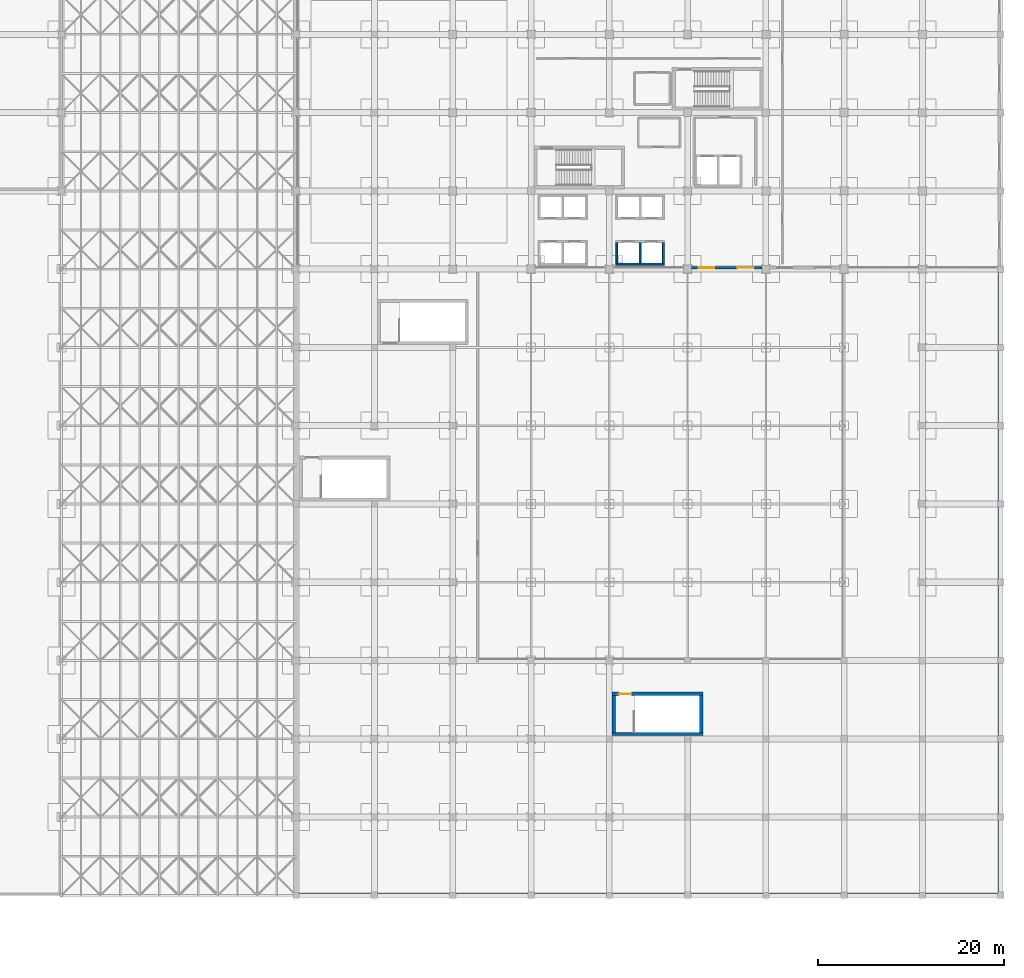
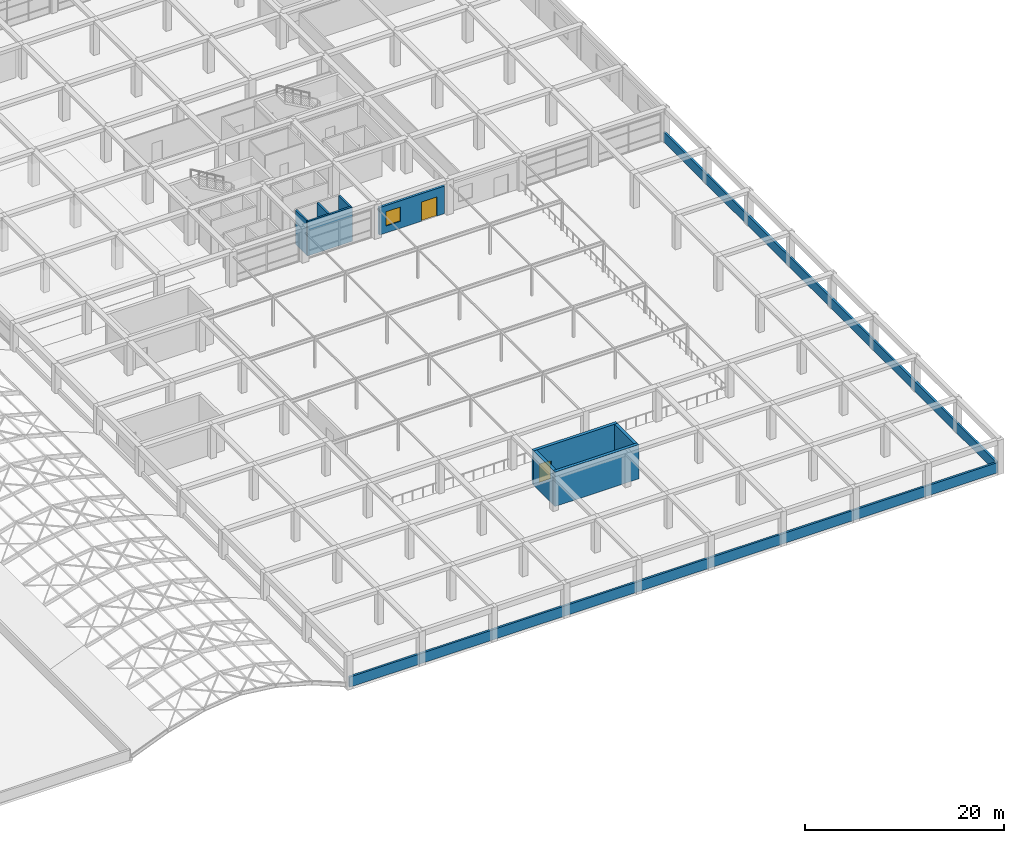
# One storey, part 78 of 85: 11 walls, 2 doors, 1 window, 3 openings.
"""IFC4 building model written with IfcOpenShell, lengths in metres."""

from ifc_helpers import new_model, si_unit, direction, frame, frame_2d, origin, place, context, subcontext, project, spatial, rectangle, extrude, material, layer, layer_set, type_object, element, fill, save


model = new_model("IFC4")

# Units and contexts
model_context = context("Model", 3, precision=1e-05, world=origin(), true_north=direction((0.0, 1.0)))
body_context = subcontext(model_context, "Body", "Model", "MODEL_VIEW")
ifc_project = project(units=[si_unit("LENGTHUNIT", "METRE"), si_unit("AREAUNIT", "SQUARE_METRE"), si_unit("VOLUMEUNIT", "CUBIC_METRE"), si_unit("PLANEANGLEUNIT", "RADIAN"), si_unit("MASSUNIT", "GRAM", prefix="KILO")], contexts=[model_context])

# Site, building, storey
site_placement = place(None, origin())
site = spatial("IfcSite", under=ifc_project, at=site_placement, CompositionType="ELEMENT")
building_placement = place(site_placement, origin())
building = spatial("IfcBuilding", under=site, at=building_placement, Name="Almacenes y Pasaje Nevantli", CompositionType="ELEMENT")
storey_placement = place(building_placement, frame((0.0, 0.0, 22.199951171875)))
storey = spatial("IfcBuildingStorey", under=building, at=storey_placement, Name="L05", CompositionType="ELEMENT", Elevation=22.199951171875)

# Wall
ifc_material_1 = material(Name="Concrete C45/55", Category="concrete")
ifc_layer_1 = layer(ifc_material_1, 0.35009765625)
ifc_layer_set_1 = layer_set([ifc_layer_1], Name="Concrete C45/55")
wall_type_1 = type_object("IfcWallType", Name="WL-CORE-350", PredefinedType="SHEAR", material=ifc_layer_set_1)
wall_1_placement = place(storey_placement, frame((126.300048828125, 17.324951171875, 0.0), z_axis=(0.0, 0.0, 1.0), x_axis=(1.0, 0.0, 0.0)))
element("IfcWall", 1, at=wall_1_placement, inside=storey, type_object=wall_type_1, Name="L05 Exit Stair ST-06 South Core Shear Wall", PredefinedType="SHEAR", context=body_context, shape_type="SweptSolid", body=[
    extrude(rectangle(XDim=9.75, YDim=0.35009765625, at=frame_2d((4.875, 0.0))), origin(), (0.0, 0.0, 1.0), 4.219970703125),
])

# Wall, opening, door
wall_2_placement = place(storey_placement, frame((126.300048828125, 21.625, 0.0), z_axis=(0.0, 0.0, 1.0), x_axis=(1.0, 0.0, 0.0)))
wall_2 = element("IfcWall", 2, at=wall_2_placement, inside=storey, type_object=wall_type_1, Name="L05 Exit Stair ST-06 North Core Shear Wall", PredefinedType="SHEAR", context=body_context, shape_type="SweptSolid", body=[
    extrude(rectangle(XDim=9.75, YDim=0.35009765625, at=frame_2d((4.875, 0.0))), origin(), (0.0, 0.0, 1.0), 4.219970703125),
])
opening_1_placement = place(wall_2_placement, frame((0.719970703125, 0.0, 0.0)))
opening_1 = element("IfcOpeningElement", 3, at=opening_1_placement, cuts=wall_2, Name="Opening SD-06-L05", PredefinedType="OPENING", context=body_context, shape_type="SweptSolid", body=[
    extrude(rectangle(XDim=1.35009765625, YDim=2.25, at=frame_2d((0.675048828125, 1.125))), frame((0.0, 0.18505859375, 0.0), z_axis=(0.0, -1.0, 0.0), x_axis=(1.0, 0.0, 0.0)), (0.0, 0.0, 1.0), 0.3701171875),
])
ifc_material_2 = material(Name="Galvanized Fire-Rated Steel", Category="steel")
door_type_1 = type_object("IfcDoorType", Name="DR-STAIR-1350R", OperationType="SINGLE_SWING_RIGHT", PredefinedType="DOOR", material=ifc_material_2)
door_1_placement = place(opening_1_placement, origin())
door_1 = element("IfcDoor", 4, at=door_1_placement, inside=storey, type_object=door_type_1, Name="L05 Smokeproof Exit Stair ST-06 Fire Door", OperationType="SINGLE_SWING_RIGHT", OverallHeight=2.25, OverallWidth=1.35009765625, PredefinedType="DOOR", context=body_context, shape_type="SweptSolid", body=[
    extrude(rectangle(XDim=1.35009765625, YDim=2.25, at=frame_2d((0.675048828125, 1.125))), frame((0.0, 0.02490234375, 0.0), z_axis=(0.0, -1.0, 0.0), x_axis=(1.0, 0.0, 0.0)), (0.0, 0.0, 1.0), 0.050048828125),
])
fill(opening_1, door_1)

# Walls
for number, where, z_axis, x_axis, name in (
    (5, (126.47509765625, 17.5, 0.0), (0.0, 0.0, 1.0), (0.0, 1.0, 0.0), "L05 Exit Stair ST-06 West Core Shear Wall"),
    (6, (135.875, 17.5, 0.0), (0.0, 0.0, 1.0), (0.0, 1.0, 0.0), "L05 Exit Stair ST-06 East Core Shear Wall"),
):
    element("IfcWall", number, at=place(storey_placement, frame(where, z_axis=z_axis, x_axis=x_axis)), inside=storey, type_object=wall_type_1, Name=name, PredefinedType="SHEAR", context=body_context, shape_type="SweptSolid", body=[
        extrude(rectangle(XDim=3.949951171875, YDim=0.35009765625, at=frame_2d((1.97509765625, 0.0))), origin(), (0.0, 0.0, 1.0), 4.219970703125),
    ])

# Wall, openings, door, window
ifc_material_3 = material(Name="Architectural Precast Concrete C35/45 Spandrel Wall", Category="concrete")
ifc_layer_2 = layer(ifc_material_3, 0.280029296875)
ifc_layer_set_2 = layer_set([ifc_layer_2], Name="Architectural Precast Concrete C35/45 Spandrel Wall")
wall_type_2 = type_object("IfcWallType", Name="WL-EXT-CANTERA-280", PredefinedType="SOLIDWALL", material=ifc_layer_set_2)
wall_3_placement = place(storey_placement, frame((134.827880859375, 67.35009765625, 0.0), z_axis=(0.0, 0.0, 1.0), x_axis=(1.0, 0.0, 0.0)))
wall_3 = element("IfcWall", 7, at=wall_3_placement, inside=storey, type_object=wall_type_2, Name="L05 Sky-Lobby South Terrace Access Wall Bay 17", PredefinedType="SOLIDWALL", context=body_context, shape_type="SweptSolid", body=[
    extrude(rectangle(XDim=7.570068359375, YDim=0.280029296875, at=frame_2d((3.78515625, 0.0))), origin(), (0.0, 0.0, 1.0), 3.3701171875),
])
opening_2_placement = place(wall_3_placement, frame((0.77197265625, 0.0, 0.85009765625)))
opening_2 = element("IfcOpeningElement", 8, at=opening_2_placement, cuts=wall_3, Name="Opening WT-33-183", PredefinedType="OPENING", context=body_context, shape_type="SweptSolid", body=[
    extrude(rectangle(XDim=1.64990234375, YDim=1.75, at=frame_2d((0.824951171875, 0.875))), frame((0.0, 0.14990234375, 0.0), z_axis=(0.0, -1.0, 0.0), x_axis=(1.0, 0.0, 0.0)), (0.0, 0.0, 1.0), 0.300048828125),
])
opening_3_placement = place(wall_3_placement, frame((4.8720703125, 0.0, 0.0)))
opening_3 = element("IfcOpeningElement", 9, at=opening_3_placement, cuts=wall_3, Name="Opening ED-L05-038", PredefinedType="OPENING", context=body_context, shape_type="SweptSolid", body=[
    extrude(rectangle(XDim=1.800048828125, YDim=2.35009765625, at=frame_2d((0.89990234375, 1.175048828125))), frame((0.0, 0.14990234375, 0.0), z_axis=(0.0, -1.0, 0.0), x_axis=(1.0, 0.0, 0.0)), (0.0, 0.0, 1.0), 0.300048828125),
])
ifc_material_4 = material(Name="Anodized Aluminium and Safety Glass", Category="aluminium")
door_type_2 = type_object("IfcDoorType", Name="DR-EXT-TER-1800", OperationType="DOUBLE_DOOR_SINGLE_SWING", PredefinedType="DOOR", material=ifc_material_4)
door_2_placement = place(opening_3_placement, origin())
door_2 = element("IfcDoor", 10, at=door_2_placement, inside=storey, type_object=door_type_2, Name="L05 Sky-Lobby to Ziggurat Roof Terrace Door #1", OperationType="DOUBLE_DOOR_SINGLE_SWING", OverallHeight=2.35009765625, OverallWidth=1.800048828125, PredefinedType="DOOR", context=body_context, shape_type="SweptSolid", body=[
    extrude(rectangle(XDim=1.800048828125, YDim=2.35009765625, at=frame_2d((0.89990234375, 1.175048828125))), frame((0.0, 0.02490234375, 0.0), z_axis=(0.0, -1.0, 0.0), x_axis=(1.0, 0.0, 0.0)), (0.0, 0.0, 1.0), 0.050048828125),
])
fill(opening_3, door_2)
ifc_material_5 = material(Name="Thermally Broken Aluminium and Low-E Double Glazing", Category="aluminium")
window_type = type_object("IfcWindowType", Name="WN-TWR-1650x1750", PartitioningType="SINGLE_PANEL", PredefinedType="WINDOW", material=ifc_material_5)
window_placement = place(opening_2_placement, origin())
window = element("IfcWindow", 11, at=window_placement, inside=storey, type_object=window_type, Name="L05 Exterior Window WT-33 #183", OverallHeight=1.75, OverallWidth=1.64990234375, PartitioningType="SINGLE_PANEL", PredefinedType="WINDOW", context=body_context, shape_type="SweptSolid", body=[
    extrude(rectangle(XDim=1.64990234375, YDim=1.75, at=frame_2d((0.824951171875, 0.875))), frame((0.0, 0.030029296875, 0.0), z_axis=(0.0, -1.0, 0.0), x_axis=(1.0, 0.0, 0.0)), (0.0, 0.0, 1.0), 0.06005859375),
])
fill(opening_2, window)

# Walls
ifc_material_6 = material(Name="Reinforced Concrete C35/45 Roof Parapet", Category="concrete")
ifc_layer_3 = layer(ifc_material_6, 0.239990234375)
ifc_layer_set_3 = layer_set([ifc_layer_3], Name="Reinforced Concrete C35/45 Roof Parapet")
wall_type_3 = type_object("IfcWallType", Name="WL-PARAPET-240", PredefinedType="PARAPET", material=ifc_layer_set_3)
wall_4_placement = place(storey_placement, frame((92.550048828125, 0.14990234375, 0.0), z_axis=(0.0, 0.0, 1.0), x_axis=(1.0, 0.0, 0.0)))
element("IfcWall", 12, at=wall_4_placement, inside=storey, type_object=wall_type_3, Name="L05 SE Deck South Parapet", PredefinedType="PARAPET", context=body_context, shape_type="SweptSolid", body=[
    extrude(rectangle(XDim=75.300048828125, YDim=0.239990234375, at=frame_2d((37.64990234375, 0.0))), origin(), (0.0, 0.0, 1.0), 1.25),
])
wall_5_placement = place(storey_placement, frame((167.85009765625, 0.14990234375, 0.0), z_axis=(0.0, 0.0, 1.0), x_axis=(0.0, 1.0, 0.0)))
element("IfcWall", 13, at=wall_5_placement, inside=storey, type_object=wall_type_3, Name="L05 SE Deck East Parapet", PredefinedType="PARAPET", context=body_context, shape_type="SweptSolid", body=[
    extrude(rectangle(XDim=66.900146484375, YDim=0.239990234375, at=frame_2d((33.4501953125, 0.0))), origin(), (0.0, 0.0, 1.0), 1.25),
])
ifc_material_7 = material(Name="Concrete C45/55", Category="concrete")
ifc_layer_4 = layer(ifc_material_7, 0.2099609375)
ifc_layer_set_4 = layer_set([ifc_layer_4], Name="Concrete C45/55")
wall_type_4 = type_object("IfcWallType", Name="WL-SHAFT-210", PredefinedType="SHEAR", material=ifc_layer_set_4)
wall_6_placement = place(storey_placement, frame((126.68994140625, 67.7451171875, 0.0), z_axis=(0.0, 0.0, 1.0), x_axis=(1.0, 0.0, 0.0)))
element("IfcWall", 14, at=wall_6_placement, inside=storey, type_object=wall_type_4, Name="L05 Lift Hoistway ELV-P01-ELV-P02 South Wall", PredefinedType="SHEAR", context=body_context, shape_type="SweptSolid", body=[
    extrude(rectangle(XDim=5.219970703125, YDim=0.2099609375, at=frame_2d((2.60986328125, 0.0))), origin(), (0.0, 0.0, 1.0), 4.219970703125),
])
for number, where, z_axis, x_axis, name in (
    (15, (126.794921875, 67.85009765625, 0.0), (0.0, 0.0, 1.0), (0.0, 1.0, 0.0), "L05 Lift Hoistway ELV-P01 West Wall"),
    (16, (131.804931640625, 67.85009765625, 0.0), (0.0, 0.0, 1.0), (0.0, 1.0, 0.0), "L05 Lift Hoistway ELV-P02 East Wall"),
    (17, (129.300048828125, 67.85009765625, 0.0), (0.0, 0.0, 1.0), (0.0, 1.0, 0.0), "L05 Lift Hoistway Divider Wall ELV-P01/ELV-P02"),
):
    element("IfcWall", number, at=place(storey_placement, frame(where, z_axis=z_axis, x_axis=x_axis)), inside=storey, type_object=wall_type_4, Name=name, PredefinedType="SHEAR", context=body_context, shape_type="SweptSolid", body=[
        extrude(rectangle(XDim=2.199951171875, YDim=0.2099609375, at=frame_2d((1.10009765625, 0.0))), origin(), (0.0, 0.0, 1.0), 4.219970703125),
    ])

save(model, "model.ifc")
